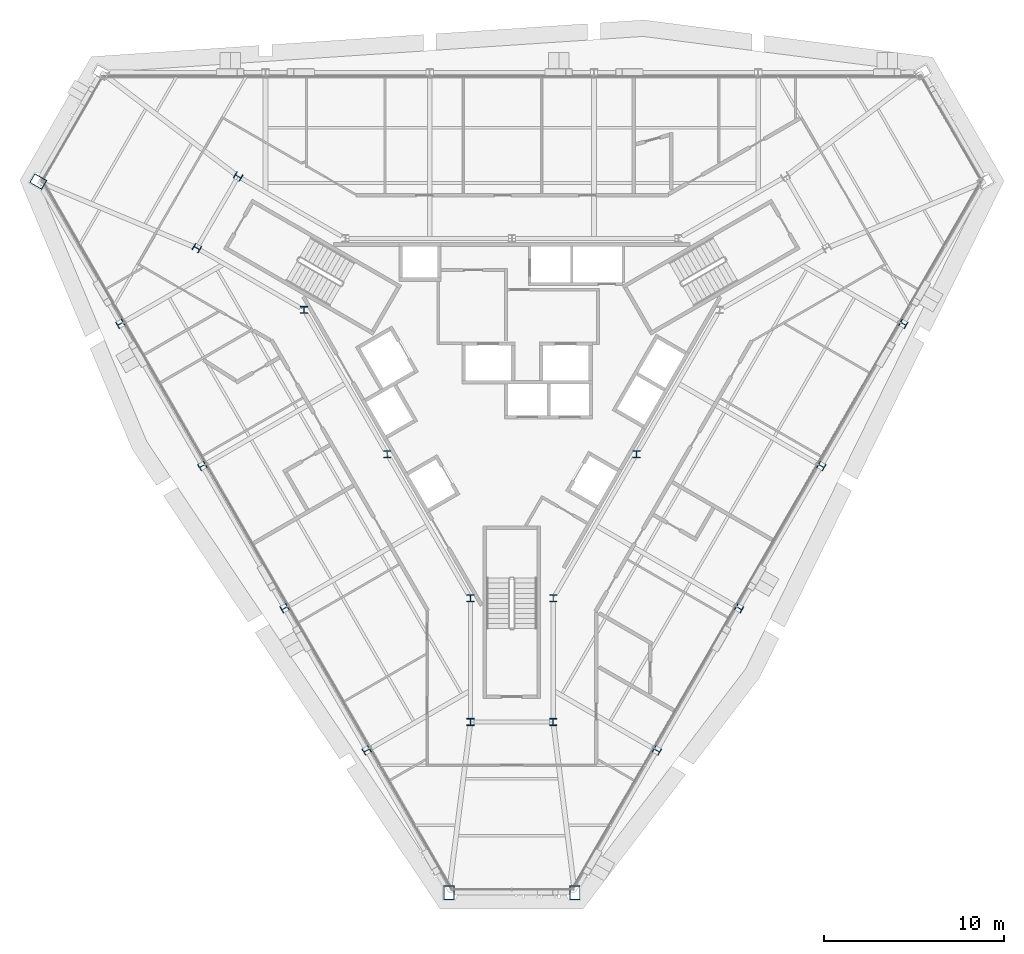
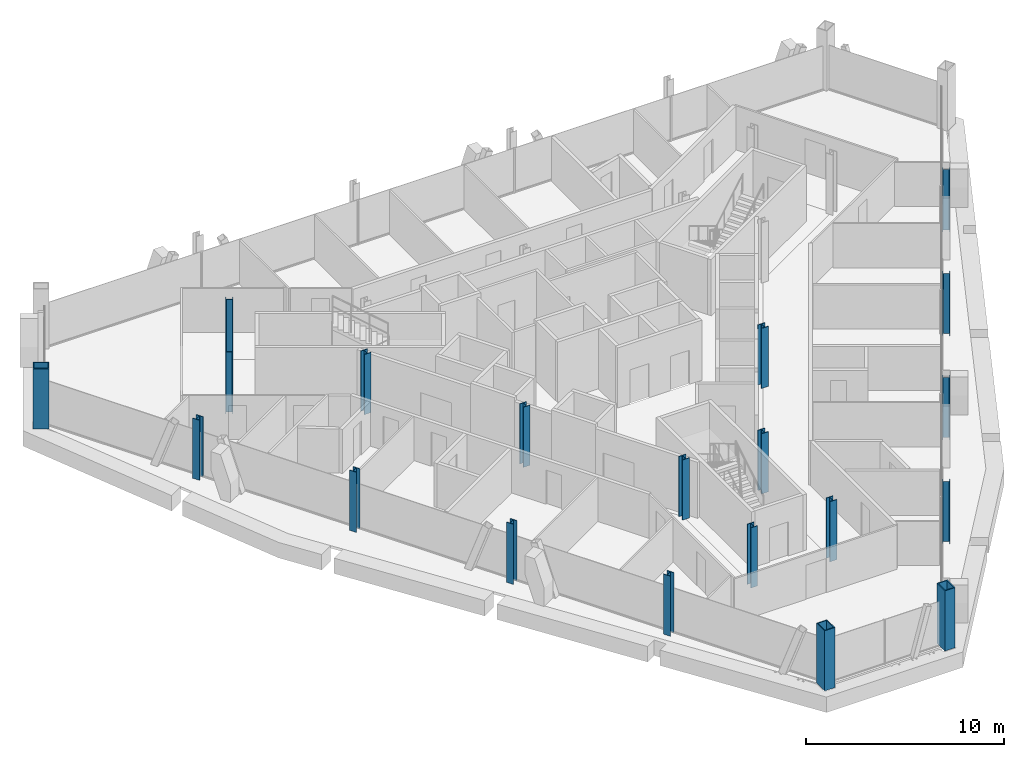
# One storey, part 1 of 15: 20 columns.
"""IFC4 building model written with IfcOpenShell, lengths in metres."""

from ifc_helpers import new_model, si_unit, direction, frame, origin, origin_2d, place, context, subcontext, project, spatial, hollow_rectangle, i_section, extrude, material, material_profile, profile_set, type_object, element, save


model = new_model("IFC4")

# Units and contexts
model_context = context("Model", 3, precision=1e-05, world=origin(), true_north=direction((0.0, 1.0)))
body_context = subcontext(model_context, "Body", "Model", "MODEL_VIEW")
ifc_project = project(units=[si_unit("LENGTHUNIT", "METRE"), si_unit("AREAUNIT", "SQUARE_METRE"), si_unit("VOLUMEUNIT", "CUBIC_METRE"), si_unit("PLANEANGLEUNIT", "RADIAN"), si_unit("MASSUNIT", "GRAM", prefix="KILO")], contexts=[model_context])

# Site, building, storey
site_placement = place(None, origin())
site = spatial("IfcSite", under=ifc_project, at=site_placement, CompositionType="ELEMENT")
building_placement = place(site_placement, origin())
building = spatial("IfcBuilding", under=site, at=building_placement, Name="Verrane Prism Tower", CompositionType="ELEMENT")
storey_placement = place(building_placement, frame((0.0, 0.0, 250.800048828125)))
storey = spatial("IfcBuildingStorey", under=building, at=storey_placement, Name="L63", CompositionType="ELEMENT", Elevation=250.800048828125)

# Columns
ifc_material_1 = material(Name="Steel A992", Category="steel")
ifc_material_profile_1 = material_profile(ifc_material_1, i_section(OverallWidth=0.4013671875, OverallDepth=0.398681640625, WebThickness=0.02490234375, FlangeThickness=0.03955078125, FilletRadius=0.01513671875, at=origin_2d()), Name="W14x211")
ifc_profile_set_1 = profile_set([ifc_material_profile_1], Name="Steel A992")
column_type_1 = type_object("IfcColumnType", Name="Core corner column W14x211", PredefinedType="COLUMN", material=ifc_profile_set_1)
for number, where, z_axis, x_axis, name in (
    (1, (-15.219970703125, 11.43994140625, 0.0), (0.0, 0.0, 1.0), (0.5, 0.866025403784, 0.0), "Core corner column CK-NWm L63"),
    (2, (-17.52001953125, 7.4599609375, 0.0), (0.0, 0.0, 1.0), (0.5, 0.866025403784, 0.0), "Core corner column CK-NWp L63"),
    (3, (-2.300048828125, -18.89990234375, 0.0), (0.0, 0.0, 1.0), (-1.0, 0.0, 0.0), "Core corner column CK-Sm L63"),
    (4, (2.300048828125, -18.89990234375, 0.0), (0.0, 0.0, 1.0), (-1.0, 0.0, 0.0), "Core corner column CK-Sp L63"),
):
    element("IfcColumn", number, at=place(storey_placement, frame(where, z_axis=z_axis, x_axis=x_axis)), inside=storey, type_object=column_type_1, Name=name, PredefinedType="COLUMN", context=body_context, shape_type="SweptSolid", body=[
        extrude(i_section(OverallWidth=0.4013671875, OverallDepth=0.398681640625, WebThickness=0.02490234375, FlangeThickness=0.03955078125, FilletRadius=0.01513671875, at=origin_2d()), origin(), (0.0, 0.0, 1.0), 3.699951171875),
    ])
ifc_material_2 = material(Name="Steel A992", Category="steel")
ifc_material_profile_2 = material_profile(ifc_material_2, i_section(OverallWidth=0.398681640625, OverallDepth=0.385986328125, WebThickness=0.02099609375, FlangeThickness=0.033203125, FilletRadius=0.01513671875, at=origin_2d()), Name="W14x176")
ifc_profile_set_2 = profile_set([ifc_material_profile_2], Name="Steel A992")
column_type_2 = type_object("IfcColumnType", Name="Core side column W14x176", PredefinedType="COLUMN", material=ifc_profile_set_2)
for number, where, z_axis, x_axis, name in (
    (5, (-11.56005859375, 4.02001953125, 0.0), (0.0, 0.0, 1.0), (1.0, 0.0, 0.0), "Core side column CC-NWp L63"),
    (6, (-6.929931640625, -4.0, 0.0), (0.0, 0.0, 1.0), (1.0, 0.0, 0.0), "Core side column CC-SW0 L63"),
    (7, (-2.300048828125, -12.02001953125, 0.0), (0.0, 0.0, 1.0), (1.0, 0.0, 0.0), "Core side column CC-Sm L63"),
    (8, (2.300048828125, -12.02001953125, 0.0), (0.0, 0.0, 1.0), (1.0, 0.0, 0.0), "Core side column CC-Sp L63"),
    (9, (6.929931640625, -4.0, 0.0), (0.0, 0.0, 1.0), (1.0, 0.0, 0.0), "Core side column CC-SE0 L63"),
):
    element("IfcColumn", number, at=place(storey_placement, frame(where, z_axis=z_axis, x_axis=x_axis)), inside=storey, type_object=column_type_2, Name=name, PredefinedType="COLUMN", context=body_context, shape_type="SweptSolid", body=[
        extrude(i_section(OverallWidth=0.398681640625, OverallDepth=0.385986328125, WebThickness=0.02099609375, FlangeThickness=0.033203125, FilletRadius=0.01513671875, at=origin_2d()), origin(), (0.0, 0.0, 1.0), 3.699951171875),
    ])
ifc_material_3 = material(Name="Steel A572 Grade 50", Category="steel")
ifc_material_profile_3 = material_profile(ifc_material_3, hollow_rectangle(XDim=0.60009765625, YDim=0.800048828125, WallThickness=0.050048828125, at=origin_2d()), Name="BOX 800x600x50")
ifc_profile_set_3 = profile_set([ifc_material_profile_3], Name="Steel A572 Grade 50")
column_type_3 = type_object("IfcColumnType", Name="Megacolumn BOX 800x600x50", PredefinedType="COLUMN", material=ifc_profile_set_3)
for number, where, z_axis, x_axis, name in (
    (10, (-26.340087890625, 11.159912109375, 0.0), (0.0, 0.0, 1.0), (0.5, 0.866025403784, 0.0), "Megacolumn MC-NW.b L63"),
    (11, (-3.5, -28.389892578125, 0.0), (0.0, 0.0, 1.0), (-1.0, 0.0, 0.0), "Megacolumn MC-S.a L63"),
    (12, (3.5, -28.389892578125, 0.0), (0.0, 0.0, 1.0), (-1.0, 0.0, 0.0), "Megacolumn MC-S.b L63"),
):
    element("IfcColumn", number, at=place(storey_placement, frame(where, z_axis=z_axis, x_axis=x_axis)), inside=storey, type_object=column_type_3, Name=name, PredefinedType="COLUMN", context=body_context, shape_type="SweptSolid", body=[
        extrude(hollow_rectangle(XDim=0.60009765625, YDim=0.800048828125, WallThickness=0.050048828125, at=origin_2d()), origin(), (0.0, 0.0, 1.0), 3.699951171875),
    ])
ifc_material_4 = material(Name="Steel A992", Category="steel")
ifc_material_profile_4 = material_profile(ifc_material_4, i_section(OverallWidth=0.398681640625, OverallDepth=0.385986328125, WebThickness=0.02099609375, FlangeThickness=0.033203125, FilletRadius=0.01513671875, at=origin_2d()), Name="W14x176")
ifc_profile_set_4 = profile_set([ifc_material_profile_4], Name="Steel A992")
column_type_4 = type_object("IfcColumnType", Name="Perimeter column W14x176", PredefinedType="COLUMN", material=ifc_profile_set_4)
for number, where, z_axis, x_axis, name in (
    (13, (-21.77001953125, 3.25, 0.0), (0.0, 0.0, 1.0), (-0.5, 0.866025403784, 0.0), "Perimeter column PC-SW1 L63"),
    (14, (-17.2099609375, -4.659912109375, 0.0), (0.0, 0.0, 1.0), (-0.5, 0.866025403784, 0.0), "Perimeter column PC-SW2 L63"),
    (15, (-12.639892578125, -12.570068359375, 0.0), (0.0, 0.0, 1.0), (-0.5, 0.866025403784, 0.0), "Perimeter column PC-SW3 L63"),
    (16, (-8.070068359375, -20.47998046875, 0.0), (0.0, 0.0, 1.0), (-0.5, 0.866025403784, 0.0), "Perimeter column PC-SW4 L63"),
    (17, (8.070068359375, -20.47998046875, 0.0), (0.0, 0.0, 1.0), (-0.5, -0.866025403784, 0.0), "Perimeter column PC-SE1 L63"),
    (18, (12.639892578125, -12.570068359375, 0.0), (0.0, 0.0, 1.0), (-0.5, -0.866025403784, 0.0), "Perimeter column PC-SE2 L63"),
    (19, (17.2099609375, -4.659912109375, 0.0), (0.0, 0.0, 1.0), (-0.5, -0.866025403784, 0.0), "Perimeter column PC-SE3 L63"),
    (20, (21.77001953125, 3.25, 0.0), (0.0, 0.0, 1.0), (-0.5, -0.866025403784, 0.0), "Perimeter column PC-SE4 L63"),
):
    element("IfcColumn", number, at=place(storey_placement, frame(where, z_axis=z_axis, x_axis=x_axis)), inside=storey, type_object=column_type_4, Name=name, PredefinedType="COLUMN", context=body_context, shape_type="SweptSolid", body=[
        extrude(i_section(OverallWidth=0.398681640625, OverallDepth=0.385986328125, WebThickness=0.02099609375, FlangeThickness=0.033203125, FilletRadius=0.01513671875, at=origin_2d()), origin(), (0.0, 0.0, 1.0), 3.699951171875),
    ])

save(model, "model.ifc")
